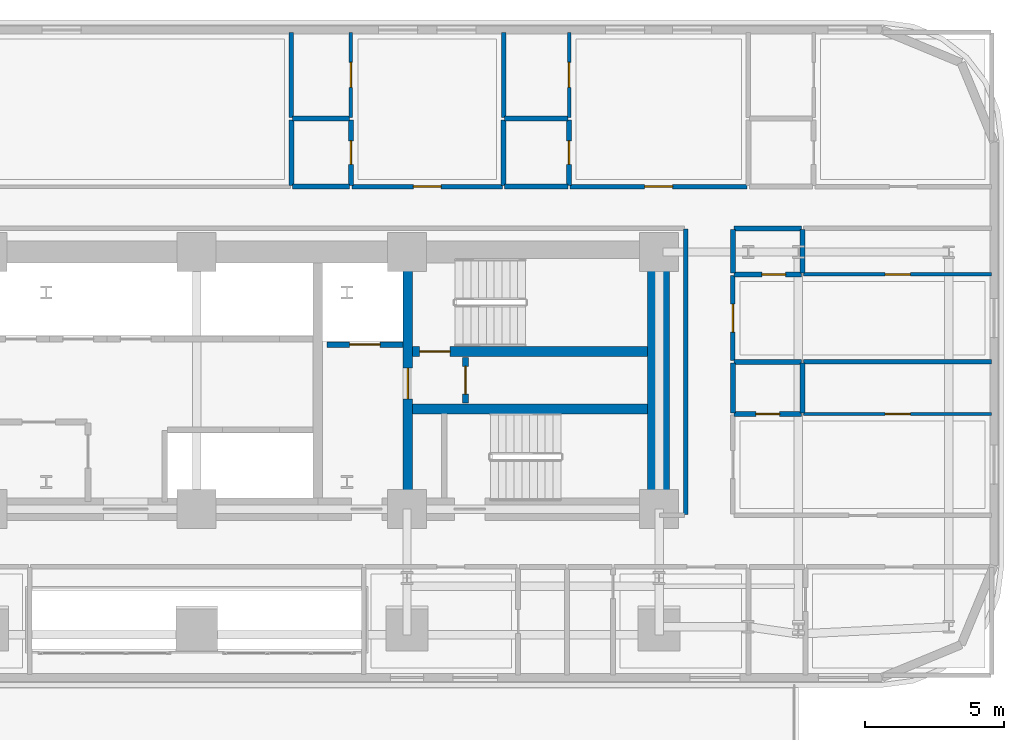
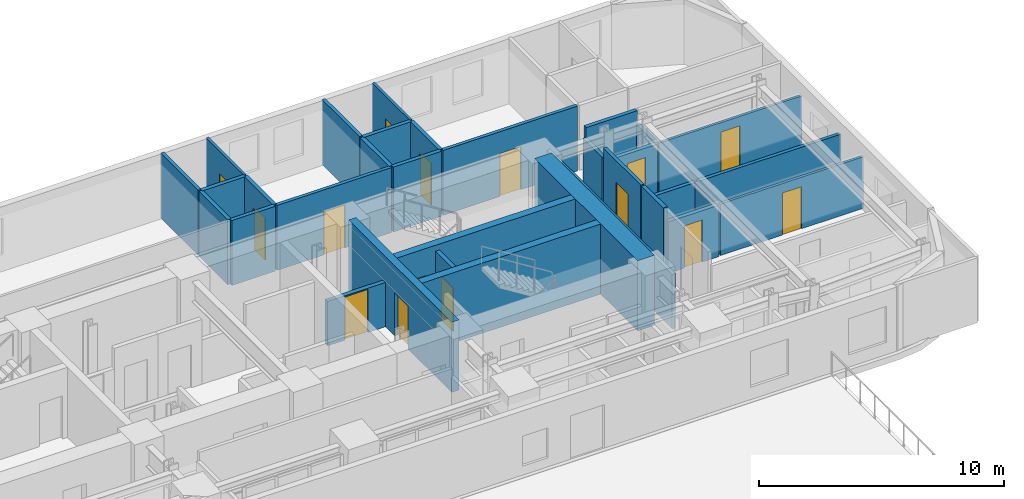
# One storey, part 10 of 15: 33 walls, 15 doors, 15 openings.
"""IFC4 building model written with IfcOpenShell, lengths in metres."""

from ifc_helpers import new_model, si_unit, direction, frame, frame_2d, origin, place, context, subcontext, project, spatial, rectangle, extrude, material, layer, layer_set, type_object, element, fill, save


model = new_model("IFC4")

# Units and contexts
model_context = context("Model", 3, precision=1e-05, world=origin(), true_north=direction((0.0, 1.0)))
body_context = subcontext(model_context, "Body", "Model", "MODEL_VIEW")
ifc_project = project(units=[si_unit("LENGTHUNIT", "METRE"), si_unit("AREAUNIT", "SQUARE_METRE"), si_unit("VOLUMEUNIT", "CUBIC_METRE"), si_unit("PLANEANGLEUNIT", "RADIAN"), si_unit("MASSUNIT", "GRAM", prefix="KILO")], contexts=[model_context])

# Site, building, storey
site_placement = place(None, origin())
site = spatial("IfcSite", under=ifc_project, at=site_placement, CompositionType="ELEMENT")
building_placement = place(site_placement, origin())
building = spatial("IfcBuilding", under=site, at=building_placement, Name="Zarnavel Station Tower", CompositionType="ELEMENT")
storey_placement = place(building_placement, frame((0.0, 0.0, 29.0)))
storey = spatial("IfcBuildingStorey", under=building, at=storey_placement, Name="L07", CompositionType="ELEMENT", Elevation=29.0)

# Wall, opening, door
ifc_material_1 = material(Name="Concrete C50/60", Category="concrete")
ifc_layer_1 = layer(ifc_material_1, 0.35009765625)
ifc_layer_set_1 = layer_set([ifc_layer_1], Name="CW_350")
wall_type_1 = type_object("IfcWallType", Name="CW_350", PredefinedType="SHEAR", material=ifc_layer_set_1)
wall_1_placement = place(storey_placement, frame((36.3798828125, 28.219970703125, 0.0), z_axis=(0.0, 0.0, 1.0), x_axis=(0.0, 1.0, 0.0)))
wall_1 = element("IfcWall", 1, at=wall_1_placement, inside=storey, type_object=wall_type_1, Name="L07 Rear Core Shear Wall DIV-S2", PredefinedType="SHEAR", context=body_context, shape_type="SweptSolid", body=[
    extrude(rectangle(XDim=8.429931640625, YDim=0.35009765625, at=frame_2d((4.21484375, 0.0))), origin(), (0.0, 0.0, 1.0), 3.5),
])
opening_1_placement = place(wall_1_placement, frame((3.56005859375, 0.0, 0.0)))
opening_1 = element("IfcOpeningElement", 2, at=opening_1_placement, cuts=wall_1, Name="Opening FD01", PredefinedType="OPENING", context=body_context, shape_type="SweptSolid", body=[
    extrude(rectangle(XDim=1.10009765625, YDim=2.14990234375, at=frame_2d((0.550048828125, 1.074951171875))), frame((0.0, 0.18505859375, 0.0), z_axis=(0.0, -1.0, 0.0), x_axis=(1.0, 0.0, 0.0)), (0.0, 0.0, 1.0), 0.3701171875),
])
ifc_material_2 = material(Name="Painted Galvanised Steel and Hardwood Leaf", Category="steel")
door_type_1 = type_object("IfcDoorType", Name="ID_STAIR_1100", OperationType="NOTDEFINED", PredefinedType="DOOR", material=ifc_material_2)
door_1_placement = place(opening_1_placement, origin())
door_1 = element("IfcDoor", 3, at=door_1_placement, inside=storey, type_object=door_type_1, Name="L07 East Stair Vestibule Fire Door", OperationType="SINGLE_SWING_LEFT", OverallHeight=2.14990234375, OverallWidth=1.10009765625, PredefinedType="DOOR", context=body_context, shape_type="SweptSolid", body=[
    extrude(rectangle(XDim=1.10009765625, YDim=2.14990234375, at=frame_2d((0.550048828125, 1.074951171875))), frame((0.0, 0.02490234375, 0.0), z_axis=(0.0, -1.0, 0.0), x_axis=(1.0, 0.0, 0.0)), (0.0, 0.0, 1.0), 0.050048828125),
])
fill(opening_1, door_1)

wall_2_placement = place(storey_placement, frame((44.97998046875, 33.47998046875, 0.0), z_axis=(0.0, 0.0, 1.0), x_axis=(-1.0, 0.0, 0.0)))
wall_2 = element("IfcWall", 4, at=wall_2_placement, inside=storey, type_object=wall_type_1, Name="L07 Rear Core Shear Wall DIV-H2", PredefinedType="SHEAR", context=body_context, shape_type="SweptSolid", body=[
    extrude(rectangle(XDim=8.425048828125, YDim=0.35009765625, at=frame_2d((4.21240234375, 0.0))), origin(), (0.0, 0.0, 1.0), 3.5),
])
opening_2_placement = place(wall_2_placement, frame((7.080078125, 0.0, 0.0)))
opening_2 = element("IfcOpeningElement", 5, at=opening_2_placement, cuts=wall_2, Name="Opening FD01", PredefinedType="OPENING", context=body_context, shape_type="SweptSolid", body=[
    extrude(rectangle(XDim=1.10009765625, YDim=2.14990234375, at=frame_2d((0.550048828125, 1.074951171875))), frame((0.0, 0.18505859375, 0.0), z_axis=(0.0, -1.0, 0.0), x_axis=(1.0, 0.0, 0.0)), (0.0, 0.0, 1.0), 0.3701171875),
])
door_2_placement = place(opening_2_placement, origin())
door_2 = element("IfcDoor", 6, at=door_2_placement, inside=storey, type_object=door_type_1, Name="L07 Stair ST2 Lobby Fire Door", OperationType="SINGLE_SWING_RIGHT", OverallHeight=2.14990234375, OverallWidth=1.10009765625, PredefinedType="DOOR", context=body_context, shape_type="SweptSolid", body=[
    extrude(rectangle(XDim=1.10009765625, YDim=2.14990234375, at=frame_2d((0.550048828125, 1.074951171875))), frame((0.0, 0.02490234375, 0.0), z_axis=(0.0, -1.0, 0.0), x_axis=(1.0, 0.0, 0.0)), (0.0, 0.0, 1.0), 0.050048828125),
])
fill(opening_2, door_2)

# Walls
wall_3_placement = place(storey_placement, frame((36.554931640625, 31.419921875, 0.0), z_axis=(0.0, 0.0, 1.0), x_axis=(1.0, 0.0, 0.0)))
element("IfcWall", 7, at=wall_3_placement, inside=storey, type_object=wall_type_1, Name="L07 Rear Core Shear Wall DIV-H3", PredefinedType="SHEAR", context=body_context, shape_type="SweptSolid", body=[
    extrude(rectangle(XDim=8.425048828125, YDim=0.35009765625, at=frame_2d((4.21240234375, 0.0))), origin(), (0.0, 0.0, 1.0), 3.5),
])
ifc_material_3 = material(Name="Concrete C60/75", Category="concrete")
ifc_layer_2 = layer(ifc_material_3, 0.800048828125)
ifc_layer_set_2 = layer_set([ifc_layer_2], Name="CW_800")
wall_type_2 = type_object("IfcWallType", Name="CW_800", PredefinedType="SHEAR", material=ifc_layer_set_2)
wall_4_placement = place(storey_placement, frame((45.3798828125, 28.219970703125, 0.0), z_axis=(0.0, 0.0, 1.0), x_axis=(0.0, 1.0, 0.0)))
element("IfcWall", 8, at=wall_4_placement, inside=storey, type_object=wall_type_2, Name="L07 Rear Core Shear Wall E", PredefinedType="SHEAR", context=body_context, shape_type="SweptSolid", body=[
    extrude(rectangle(XDim=8.429931640625, YDim=0.800048828125, at=frame_2d((4.21484375, 0.0))), origin(), (0.0, 0.0, 1.0), 3.5),
])

# Wall, opening, door
ifc_material_4 = material(Name="Gypsum Twin-Stud Acoustic Fire Partition", Category="concrete")
ifc_layer_3 = layer(ifc_material_4, 0.159912109375)
ifc_layer_set_3 = layer_set([ifc_layer_3], Name="PT_DEMISE_160")
wall_type_3 = type_object("IfcWallType", Name="PT_DEMISE_160", PredefinedType="PARTITIONING", material=ifc_layer_set_3)
wall_5_placement = place(storey_placement, frame((48.050048828125, 33.14892578125, 0.0), z_axis=(0.0, 0.0, 1.0), x_axis=(0.0, 1.0, 0.0)))
wall_5 = element("IfcWall", 9, at=wall_5_placement, inside=storey, type_object=wall_type_3, Name="L07 Partition COR-E-FNE2R", PredefinedType="PARTITIONING", context=body_context, shape_type="SweptSolid", body=[
    extrude(rectangle(XDim=3.06103515625, YDim=0.159912109375, at=frame_2d((1.530517578125, 0.0))), origin(), (0.0, 0.0, 1.0), 3.239990234375),
])
opening_3_placement = place(wall_5_placement, frame((1.030517578125, 0.0, 0.0)))
opening_3 = element("IfcOpeningElement", 10, at=opening_3_placement, cuts=wall_5, Name="Opening FD02", PredefinedType="OPENING", context=body_context, shape_type="SweptSolid", body=[
    extrude(rectangle(XDim=1.0, YDim=2.14990234375, at=frame_2d((0.5, 1.074951171875))), frame((0.0, 0.08984375, 0.0), z_axis=(0.0, -1.0, 0.0), x_axis=(1.0, 0.0, 0.0)), (0.0, 0.0, 1.0), 0.179931640625),
])
ifc_material_5 = material(Name="Painted Galvanised Steel and Hardwood Leaf", Category="steel")
door_type_2 = type_object("IfcDoorType", Name="ID_ENTRY_1000", OperationType="NOTDEFINED", PredefinedType="DOOR", material=ifc_material_5)
door_3_placement = place(opening_3_placement, origin())
door_3 = element("IfcDoor", 11, at=door_3_placement, inside=storey, type_object=door_type_2, Name="L07 Door COR-E-FNE2R", OperationType="SINGLE_SWING_RIGHT", OverallHeight=2.14990234375, OverallWidth=1.0, PredefinedType="DOOR", context=body_context, shape_type="SweptSolid", body=[
    extrude(rectangle(XDim=1.0, YDim=2.14990234375, at=frame_2d((0.5, 1.074951171875))), frame((0.0, 0.02490234375, 0.0), z_axis=(0.0, -1.0, 0.0), x_axis=(1.0, 0.0, 0.0)), (0.0, 0.0, 1.0), 0.050048828125),
])
fill(opening_3, door_3)

wall_6_placement = place(storey_placement, frame((34.373046875, 39.39990234375, 0.0), z_axis=(0.0, 0.0, 1.0), x_axis=(1.0, 0.0, 0.0)))
wall_6 = element("IfcWall", 12, at=wall_6_placement, inside=storey, type_object=wall_type_3, Name="L07 Partition COR-N-HN1R", PredefinedType="PARTITIONING", context=body_context, shape_type="SweptSolid", body=[
    extrude(rectangle(XDim=5.405029296875, YDim=0.159912109375, at=frame_2d((2.70263671875, 0.0))), origin(), (0.0, 0.0, 1.0), 3.239990234375),
])
opening_4_placement = place(wall_6_placement, frame((2.202392578125, 0.0, 0.0)))
opening_4 = element("IfcOpeningElement", 13, at=opening_4_placement, cuts=wall_6, Name="Opening FD02", PredefinedType="OPENING", context=body_context, shape_type="SweptSolid", body=[
    extrude(rectangle(XDim=1.0, YDim=2.14990234375, at=frame_2d((0.5, 1.074951171875))), frame((0.0, 0.08984375, 0.0), z_axis=(0.0, -1.0, 0.0), x_axis=(1.0, 0.0, 0.0)), (0.0, 0.0, 1.0), 0.179931640625),
])
door_4_placement = place(opening_4_placement, origin())
door_4 = element("IfcDoor", 14, at=door_4_placement, inside=storey, type_object=door_type_2, Name="L07 Door COR-N-HN1R", OperationType="SINGLE_SWING_LEFT", OverallHeight=2.14990234375, OverallWidth=1.0, PredefinedType="DOOR", context=body_context, shape_type="SweptSolid", body=[
    extrude(rectangle(XDim=1.0, YDim=2.14990234375, at=frame_2d((0.5, 1.074951171875))), frame((0.0, 0.02490234375, 0.0), z_axis=(0.0, -1.0, 0.0), x_axis=(1.0, 0.0, 0.0)), (0.0, 0.0, 1.0), 0.050048828125),
])
fill(opening_4, door_4)

wall_7_placement = place(storey_placement, frame((42.2080078125, 39.39990234375, 0.0), z_axis=(0.0, 0.0, 1.0), x_axis=(1.0, 0.0, 0.0)))
wall_7 = element("IfcWall", 15, at=wall_7_placement, inside=storey, type_object=wall_type_3, Name="L07 Partition COR-N-HN2R", PredefinedType="PARTITIONING", context=body_context, shape_type="SweptSolid", body=[
    extrude(rectangle(XDim=6.35205078125, YDim=0.159912109375, at=frame_2d((3.176025390625, 0.0))), origin(), (0.0, 0.0, 1.0), 3.239990234375),
])
opening_5_placement = place(wall_7_placement, frame((2.676025390625, 0.0, 0.0)))
opening_5 = element("IfcOpeningElement", 16, at=opening_5_placement, cuts=wall_7, Name="Opening FD02", PredefinedType="OPENING", context=body_context, shape_type="SweptSolid", body=[
    extrude(rectangle(XDim=1.0, YDim=2.14990234375, at=frame_2d((0.5, 1.074951171875))), frame((0.0, 0.08984375, 0.0), z_axis=(0.0, -1.0, 0.0), x_axis=(1.0, 0.0, 0.0)), (0.0, 0.0, 1.0), 0.179931640625),
])
door_5_placement = place(opening_5_placement, origin())
door_5 = element("IfcDoor", 17, at=door_5_placement, inside=storey, type_object=door_type_2, Name="L07 Door COR-N-HN2R", OperationType="SINGLE_SWING_RIGHT", OverallHeight=2.14990234375, OverallWidth=1.0, PredefinedType="DOOR", context=body_context, shape_type="SweptSolid", body=[
    extrude(rectangle(XDim=1.0, YDim=2.14990234375, at=frame_2d((0.5, 1.074951171875))), frame((0.0, 0.02490234375, 0.0), z_axis=(0.0, -1.0, 0.0), x_axis=(1.0, 0.0, 0.0)), (0.0, 0.0, 1.0), 0.050048828125),
])
fill(opening_5, door_5)

# Walls
wall_8_placement = place(storey_placement, frame((50.590087890625, 33.10888671875, 0.0), z_axis=(0.0, 0.0, 1.0), x_axis=(1.0, 0.0, 0.0)))
element("IfcWall", 18, at=wall_8_placement, inside=storey, type_object=wall_type_3, Name="L07 Partition FNE1S-FNE2R", PredefinedType="PARTITIONING", context=body_context, shape_type="SweptSolid", body=[
    extrude(rectangle(XDim=6.75, YDim=0.159912109375, at=frame_2d((3.375, 0.0))), origin(), (0.0, 0.0, 1.0), 2.570068359375),
])
for number, where, z_axis, x_axis, name in (
    (19, (32.199951171875, 41.8779296875, 0.0), (0.0, 0.0, 1.0), (0.0, 1.0, 0.0), "L07 Partition NCLB-HN1S"),
    (20, (39.818115234375, 41.8779296875, 0.0), (0.0, 0.0, 1.0), (0.0, 1.0, 0.0), "L07 Partition HN1R-HN2S"),
):
    element("IfcWall", number, at=place(storey_placement, frame(where, z_axis=z_axis, x_axis=x_axis)), inside=storey, type_object=wall_type_3, Name=name, PredefinedType="PARTITIONING", context=body_context, shape_type="SweptSolid", body=[
        extrude(rectangle(XDim=3.06201171875, YDim=0.159912109375, at=frame_2d((1.531005859375, 0.0))), origin(), (0.0, 0.0, 1.0), 3.239990234375),
    ])
wall_9_placement = place(storey_placement, frame((46.35009765625, 27.6298828125, 0.0), z_axis=(0.0, 0.0, 1.0), x_axis=(0.0, 1.0, 0.0)))
element("IfcWall", 21, at=wall_9_placement, inside=storey, type_object=wall_type_3, Name="L07 Enclosure Wall COR-E", PredefinedType="PARTITIONING", context=body_context, shape_type="SweptSolid", body=[
    extrude(rectangle(XDim=10.240234375, YDim=0.159912109375, at=frame_2d((5.1201171875, 0.0))), origin(), (0.0, 0.0, 1.0), 2.719970703125),
])

# Wall, opening, door
ifc_material_6 = material(Name="Gypsum Metal-Stud Interior Partition", Category="concrete")
ifc_layer_4 = layer(ifc_material_6, 0.1201171875)
ifc_layer_set_4 = layer_set([ifc_layer_4], Name="PT_ROOM_120")
wall_type_4 = type_object("IfcWallType", Name="PT_ROOM_120", PredefinedType="PARTITIONING", material=ifc_layer_set_4)
wall_10_placement = place(storey_placement, frame((50.590087890625, 31.236083984375, 0.0), z_axis=(0.0, 0.0, 1.0), x_axis=(1.0, 0.0, 0.0)))
wall_10 = element("IfcWall", 22, at=wall_10_placement, inside=storey, type_object=wall_type_4, Name="L07 Partition FNE1R-FNE1S", PredefinedType="PARTITIONING", context=body_context, shape_type="SweptSolid", body=[
    extrude(rectangle(XDim=6.75, YDim=0.1201171875, at=frame_2d((3.375, 0.0))), origin(), (0.0, 0.0, 1.0), 2.570068359375),
])
opening_6_placement = place(wall_10_placement, frame((2.925048828125, 0.0, 0.0)))
opening_6 = element("IfcOpeningElement", 23, at=opening_6_placement, cuts=wall_10, Name="Opening ID01", PredefinedType="OPENING", context=body_context, shape_type="SweptSolid", body=[
    extrude(rectangle(XDim=0.89990234375, YDim=2.10009765625, at=frame_2d((0.449951171875, 1.050048828125))), frame((0.0, 0.070068359375, 0.0), z_axis=(0.0, -1.0, 0.0), x_axis=(1.0, 0.0, 0.0)), (0.0, 0.0, 1.0), 0.14013671875),
])
ifc_material_7 = material(Name="Painted Galvanised Steel and Hardwood Leaf", Category="steel")
door_type_3 = type_object("IfcDoorType", Name="ID_ROOM_900", OperationType="NOTDEFINED", PredefinedType="DOOR", material=ifc_material_7)
door_6_placement = place(opening_6_placement, origin())
door_6 = element("IfcDoor", 24, at=door_6_placement, inside=storey, type_object=door_type_3, Name="L07 Door FNE1R-FNE1S", OperationType="SINGLE_SWING_LEFT", OverallHeight=2.10009765625, OverallWidth=0.89990234375, PredefinedType="DOOR", context=body_context, shape_type="SweptSolid", body=[
    extrude(rectangle(XDim=0.89990234375, YDim=2.10009765625, at=frame_2d((0.449951171875, 1.050048828125))), frame((0.0, 0.02490234375, 0.0), z_axis=(0.0, -1.0, 0.0), x_axis=(1.0, 0.0, 0.0)), (0.0, 0.0, 1.0), 0.050048828125),
])
fill(opening_6, door_6)

wall_11_placement = place(storey_placement, frame((50.590087890625, 36.25, 0.0), z_axis=(0.0, 0.0, 1.0), x_axis=(1.0, 0.0, 0.0)))
wall_11 = element("IfcWall", 25, at=wall_11_placement, inside=storey, type_object=wall_type_4, Name="L07 Partition FNE2R-FNE2S", PredefinedType="PARTITIONING", context=body_context, shape_type="SweptSolid", body=[
    extrude(rectangle(XDim=6.75, YDim=0.1201171875, at=frame_2d((3.375, 0.0))), origin(), (0.0, 0.0, 1.0), 2.570068359375),
])
opening_7_placement = place(wall_11_placement, frame((2.925048828125, 0.0, 0.0)))
opening_7 = element("IfcOpeningElement", 26, at=opening_7_placement, cuts=wall_11, Name="Opening ID01", PredefinedType="OPENING", context=body_context, shape_type="SweptSolid", body=[
    extrude(rectangle(XDim=0.89990234375, YDim=2.10009765625, at=frame_2d((0.449951171875, 1.050048828125))), frame((0.0, 0.070068359375, 0.0), z_axis=(0.0, -1.0, 0.0), x_axis=(1.0, 0.0, 0.0)), (0.0, 0.0, 1.0), 0.14013671875),
])
door_7_placement = place(opening_7_placement, origin())
door_7 = element("IfcDoor", 27, at=door_7_placement, inside=storey, type_object=door_type_3, Name="L07 Door FNE2R-FNE2S", OperationType="SINGLE_SWING_LEFT", OverallHeight=2.10009765625, OverallWidth=0.89990234375, PredefinedType="DOOR", context=body_context, shape_type="SweptSolid", body=[
    extrude(rectangle(XDim=0.89990234375, YDim=2.10009765625, at=frame_2d((0.449951171875, 1.050048828125))), frame((0.0, 0.02490234375, 0.0), z_axis=(0.0, -1.0, 0.0), x_axis=(1.0, 0.0, 0.0)), (0.0, 0.0, 1.0), 0.050048828125),
])
fill(opening_7, door_7)

wall_12_placement = place(storey_placement, frame((34.3330078125, 41.8779296875, 0.0), z_axis=(0.0, 0.0, 1.0), x_axis=(0.0, 1.0, 0.0)))
wall_12 = element("IfcWall", 28, at=wall_12_placement, inside=storey, type_object=wall_type_4, Name="L07 Partition HN1R-HN1S", PredefinedType="PARTITIONING", context=body_context, shape_type="SweptSolid", body=[
    extrude(rectangle(XDim=3.06201171875, YDim=0.1201171875, at=frame_2d((1.531005859375, 0.0))), origin(), (0.0, 0.0, 1.0), 3.239990234375),
])
opening_8_placement = place(wall_12_placement, frame((1.0810546875, 0.0, 0.0)))
opening_8 = element("IfcOpeningElement", 29, at=opening_8_placement, cuts=wall_12, Name="Opening ID01", PredefinedType="OPENING", context=body_context, shape_type="SweptSolid", body=[
    extrude(rectangle(XDim=0.89990234375, YDim=2.10009765625, at=frame_2d((0.449951171875, 1.050048828125))), frame((0.0, 0.070068359375, 0.0), z_axis=(0.0, -1.0, 0.0), x_axis=(1.0, 0.0, 0.0)), (0.0, 0.0, 1.0), 0.14013671875),
])
door_8_placement = place(opening_8_placement, origin())
door_8 = element("IfcDoor", 30, at=door_8_placement, inside=storey, type_object=door_type_3, Name="L07 Door HN1R-HN1S", OperationType="SINGLE_SWING_LEFT", OverallHeight=2.10009765625, OverallWidth=0.89990234375, PredefinedType="DOOR", context=body_context, shape_type="SweptSolid", body=[
    extrude(rectangle(XDim=0.89990234375, YDim=2.10009765625, at=frame_2d((0.449951171875, 1.050048828125))), frame((0.0, 0.02490234375, 0.0), z_axis=(0.0, -1.0, 0.0), x_axis=(1.0, 0.0, 0.0)), (0.0, 0.0, 1.0), 0.050048828125),
])
fill(opening_8, door_8)

wall_13_placement = place(storey_placement, frame((42.16796875, 41.8779296875, 0.0), z_axis=(0.0, 0.0, 1.0), x_axis=(0.0, 1.0, 0.0)))
wall_13 = element("IfcWall", 31, at=wall_13_placement, inside=storey, type_object=wall_type_4, Name="L07 Partition HN2R-HN2S", PredefinedType="PARTITIONING", context=body_context, shape_type="SweptSolid", body=[
    extrude(rectangle(XDim=3.06201171875, YDim=0.1201171875, at=frame_2d((1.531005859375, 0.0))), origin(), (0.0, 0.0, 1.0), 3.239990234375),
])
opening_9_placement = place(wall_13_placement, frame((1.0810546875, 0.0, 0.0)))
opening_9 = element("IfcOpeningElement", 32, at=opening_9_placement, cuts=wall_13, Name="Opening ID01", PredefinedType="OPENING", context=body_context, shape_type="SweptSolid", body=[
    extrude(rectangle(XDim=0.89990234375, YDim=2.10009765625, at=frame_2d((0.449951171875, 1.050048828125))), frame((0.0, 0.070068359375, 0.0), z_axis=(0.0, -1.0, 0.0), x_axis=(1.0, 0.0, 0.0)), (0.0, 0.0, 1.0), 0.14013671875),
])
door_9_placement = place(opening_9_placement, origin())
door_9 = element("IfcDoor", 33, at=door_9_placement, inside=storey, type_object=door_type_3, Name="L07 Door HN2R-HN2S", OperationType="SINGLE_SWING_LEFT", OverallHeight=2.10009765625, OverallWidth=0.89990234375, PredefinedType="DOOR", context=body_context, shape_type="SweptSolid", body=[
    extrude(rectangle(XDim=0.89990234375, YDim=2.10009765625, at=frame_2d((0.449951171875, 1.050048828125))), frame((0.0, 0.02490234375, 0.0), z_axis=(0.0, -1.0, 0.0), x_axis=(1.0, 0.0, 0.0)), (0.0, 0.0, 1.0), 0.050048828125),
])
fill(opening_9, door_9)

ifc_material_8 = material(Name="Precast concrete C45/55 (Fire Shaft Blockwork)", Category="masonry")
ifc_layer_5 = layer(ifc_material_8, 0.199951171875)
ifc_layer_set_5 = layer_set([ifc_layer_5], Name="PT_SHAFT_200")
wall_type_5 = type_object("IfcWallType", Name="PT_SHAFT_200", PredefinedType="PARTITIONING", material=ifc_layer_set_5)
wall_14_placement = place(storey_placement, frame((33.47509765625, 33.72998046875, 0.0), z_axis=(0.0, 0.0, 1.0), x_axis=(1.0, 0.0, 0.0)))
wall_14 = element("IfcWall", 34, at=wall_14_placement, inside=storey, type_object=wall_type_5, Name="L07 Lift FFL-02 Shaft Front Wall", PredefinedType="PARTITIONING", context=body_context, shape_type="SweptSolid", body=[
    extrude(rectangle(XDim=2.724853515625, YDim=0.199951171875, at=frame_2d((1.3623046875, 0.0))), origin(), (0.0, 0.0, 1.0), 2.2119140625),
])
opening_10_placement = place(wall_14_placement, frame((0.8125, 0.0, 0.0)))
opening_10 = element("IfcOpeningElement", 35, at=opening_10_placement, cuts=wall_14, Name="Opening LD01", PredefinedType="OPENING", context=body_context, shape_type="SweptSolid", body=[
    extrude(rectangle(XDim=1.10009765625, YDim=2.14990234375, at=frame_2d((0.550048828125, 1.074951171875))), frame((0.0, 0.10986328125, 0.0), z_axis=(0.0, -1.0, 0.0), x_axis=(1.0, 0.0, 0.0)), (0.0, 0.0, 1.0), 0.219970703125),
])
ifc_material_9 = material(Name="Painted Galvanised Steel and Hardwood Leaf", Category="steel")
door_type_4 = type_object("IfcDoorType", Name="LD_FF_1100", OperationType="DOUBLE_DOOR_SLIDING", PredefinedType="DOOR", material=ifc_material_9)
door_10_placement = place(opening_10_placement, origin())
door_10 = element("IfcDoor", 36, at=door_10_placement, inside=storey, type_object=door_type_4, Name="L07 Lift FFL-02 Sliding Landing Door", OperationType="DOUBLE_DOOR_SLIDING", OverallHeight=2.14990234375, OverallWidth=1.10009765625, PredefinedType="DOOR", context=body_context, shape_type="SweptSolid", body=[
    extrude(rectangle(XDim=1.10009765625, YDim=2.14990234375, at=frame_2d((0.550048828125, 1.074951171875))), frame((0.0, 0.02490234375, 0.0), z_axis=(0.0, -1.0, 0.0), x_axis=(1.0, 0.0, 0.0)), (0.0, 0.0, 1.0), 0.050048828125),
])
fill(opening_10, door_10)

wall_15_placement = place(storey_placement, frame((38.449951171875, 31.639892578125, 0.0), z_axis=(0.0, 0.0, 1.0), x_axis=(0.0, 1.0, 0.0)))
wall_15 = element("IfcWall", 37, at=wall_15_placement, inside=storey, type_object=wall_type_5, Name="L07 Partition ESTV-CEA", PredefinedType="PARTITIONING", context=body_context, shape_type="SweptSolid", body=[
    extrude(rectangle(XDim=1.6201171875, YDim=0.199951171875, at=frame_2d((0.81005859375, 0.0))), origin(), (0.0, 0.0, 1.0), 3.239990234375),
])
opening_11_placement = place(wall_15_placement, frame((0.31005859375, 0.0, 0.0)))
opening_11 = element("IfcOpeningElement", 38, at=opening_11_placement, cuts=wall_15, Name="Opening FD02", PredefinedType="OPENING", context=body_context, shape_type="SweptSolid", body=[
    extrude(rectangle(XDim=1.0, YDim=2.14990234375, at=frame_2d((0.5, 1.074951171875))), frame((0.0, 0.10986328125, 0.0), z_axis=(0.0, -1.0, 0.0), x_axis=(1.0, 0.0, 0.0)), (0.0, 0.0, 1.0), 0.219970703125),
])
door_11_placement = place(opening_11_placement, origin())
door_11 = element("IfcDoor", 39, at=door_11_placement, inside=storey, type_object=door_type_2, Name="L07 Door ESTV-CEA", OperationType="SINGLE_SWING_LEFT", OverallHeight=2.14990234375, OverallWidth=1.0, PredefinedType="DOOR", context=body_context, shape_type="SweptSolid", body=[
    extrude(rectangle(XDim=1.0, YDim=2.14990234375, at=frame_2d((0.5, 1.074951171875))), frame((0.0, 0.02490234375, 0.0), z_axis=(0.0, -1.0, 0.0), x_axis=(1.0, 0.0, 0.0)), (0.0, 0.0, 1.0), 0.050048828125),
])
fill(opening_11, door_11)

# Walls
ifc_material_10 = material(Name="Moisture-Resistant Plumbing Chase Wall", Category="concrete")
ifc_layer_6 = layer(ifc_material_10, 0.179931640625)
ifc_layer_set_6 = layer_set([ifc_layer_6], Name="PW_PLUMB_180")
wall_type_6 = type_object("IfcWallType", Name="PW_PLUMB_180", PredefinedType="PLUMBINGWALL", material=ifc_layer_set_6)
wall_16_placement = place(storey_placement, frame((48.050048828125, 31.27587890625, 0.0), z_axis=(0.0, 0.0, 1.0), x_axis=(0.0, 1.0, 0.0)))
element("IfcWall", 40, at=wall_16_placement, inside=storey, type_object=wall_type_6, Name="L07 Partition COR-E-FNE1B", PredefinedType="PLUMBINGWALL", context=body_context, shape_type="SweptSolid", body=[
    extrude(rectangle(XDim=1.793212890625, YDim=0.179931640625, at=frame_2d((0.896484375, 0.0))), origin(), (0.0, 0.0, 1.0), 3.239990234375),
])
wall_17_placement = place(storey_placement, frame((48.050048828125, 36.2900390625, 0.0), z_axis=(0.0, 0.0, 1.0), x_axis=(0.0, 1.0, 0.0)))
element("IfcWall", 41, at=wall_17_placement, inside=storey, type_object=wall_type_6, Name="L07 Partition COR-E-FNE2B", PredefinedType="PLUMBINGWALL", context=body_context, shape_type="SweptSolid", body=[
    extrude(rectangle(XDim=1.570068359375, YDim=0.179931640625, at=frame_2d((0.78515625, 0.0))), origin(), (0.0, 0.0, 1.0), 2.719970703125),
])
wall_18_placement = place(storey_placement, frame((48.090087890625, 37.89990234375, 0.0), z_axis=(0.0, 0.0, 1.0), x_axis=(1.0, 0.0, 0.0)))
element("IfcWall", 42, at=wall_18_placement, inside=storey, type_object=wall_type_6, Name="L07 Partition COR-N-FNE2B", PredefinedType="PLUMBINGWALL", context=body_context, shape_type="SweptSolid", body=[
    extrude(rectangle(XDim=2.419921875, YDim=0.179931640625, at=frame_2d((1.2099609375, 0.0))), origin(), (0.0, 0.0, 1.0), 3.239990234375),
])
wall_19_placement = place(storey_placement, frame((32.239990234375, 39.39990234375, 0.0), z_axis=(0.0, 0.0, 1.0), x_axis=(1.0, 0.0, 0.0)))
element("IfcWall", 43, at=wall_19_placement, inside=storey, type_object=wall_type_6, Name="L07 Partition COR-N-HN1B", PredefinedType="PLUMBINGWALL", context=body_context, shape_type="SweptSolid", body=[
    extrude(rectangle(XDim=2.052978515625, YDim=0.179931640625, at=frame_2d((1.0263671875, 0.0))), origin(), (0.0, 0.0, 1.0), 3.239990234375),
])
wall_20_placement = place(storey_placement, frame((39.85791015625, 39.39990234375, 0.0), z_axis=(0.0, 0.0, 1.0), x_axis=(1.0, 0.0, 0.0)))
element("IfcWall", 44, at=wall_20_placement, inside=storey, type_object=wall_type_6, Name="L07 Partition COR-N-HN2B", PredefinedType="PLUMBINGWALL", context=body_context, shape_type="SweptSolid", body=[
    extrude(rectangle(XDim=2.27001953125, YDim=0.179931640625, at=frame_2d((1.135009765625, 0.0))), origin(), (0.0, 0.0, 1.0), 3.239990234375),
])

# Wall, opening, door
wall_21_placement = place(storey_placement, frame((48.090087890625, 31.236083984375, 0.0), z_axis=(0.0, 0.0, 1.0), x_axis=(1.0, 0.0, 0.0)))
wall_21 = element("IfcWall", 45, at=wall_21_placement, inside=storey, type_object=wall_type_6, Name="L07 Partition FNE1R-FNE1B", PredefinedType="PLUMBINGWALL", context=body_context, shape_type="SweptSolid", body=[
    extrude(rectangle(XDim=2.419921875, YDim=0.179931640625, at=frame_2d((1.2099609375, 0.0))), origin(), (0.0, 0.0, 1.0), 2.570068359375),
])
opening_12_placement = place(wall_21_placement, frame((0.784912109375, 0.0, 0.0)))
opening_12 = element("IfcOpeningElement", 46, at=opening_12_placement, cuts=wall_21, Name="Opening ID02", PredefinedType="OPENING", context=body_context, shape_type="SweptSolid", body=[
    extrude(rectangle(XDim=0.85009765625, YDim=2.10009765625, at=frame_2d((0.425048828125, 1.050048828125))), frame((0.0, 0.099853515625, 0.0), z_axis=(0.0, -1.0, 0.0), x_axis=(1.0, 0.0, 0.0)), (0.0, 0.0, 1.0), 0.199951171875),
])
ifc_material_11 = material(Name="Painted Galvanised Steel and Hardwood Leaf", Category="steel")
door_type_5 = type_object("IfcDoorType", Name="ID_BATH_850", OperationType="NOTDEFINED", PredefinedType="DOOR", material=ifc_material_11)
door_12_placement = place(opening_12_placement, origin())
door_12 = element("IfcDoor", 47, at=door_12_placement, inside=storey, type_object=door_type_5, Name="L07 Door FNE1R-FNE1B", OperationType="SINGLE_SWING_RIGHT", OverallHeight=2.10009765625, OverallWidth=0.85009765625, PredefinedType="DOOR", context=body_context, shape_type="SweptSolid", body=[
    extrude(rectangle(XDim=0.85009765625, YDim=2.10009765625, at=frame_2d((0.425048828125, 1.050048828125))), frame((0.0, 0.02490234375, 0.0), z_axis=(0.0, -1.0, 0.0), x_axis=(1.0, 0.0, 0.0)), (0.0, 0.0, 1.0), 0.050048828125),
])
fill(opening_12, door_12)

# Walls
wall_22_placement = place(storey_placement, frame((50.550048828125, 31.27587890625, 0.0), z_axis=(0.0, 0.0, 1.0), x_axis=(0.0, 1.0, 0.0)))
element("IfcWall", 48, at=wall_22_placement, inside=storey, type_object=wall_type_6, Name="L07 Partition FNE1B-FNE1S", PredefinedType="PLUMBINGWALL", context=body_context, shape_type="SweptSolid", body=[
    extrude(rectangle(XDim=1.793212890625, YDim=0.179931640625, at=frame_2d((0.896484375, 0.0))), origin(), (0.0, 0.0, 1.0), 2.570068359375),
])
wall_23_placement = place(storey_placement, frame((48.090087890625, 33.10888671875, 0.0), z_axis=(0.0, 0.0, 1.0), x_axis=(1.0, 0.0, 0.0)))
element("IfcWall", 49, at=wall_23_placement, inside=storey, type_object=wall_type_6, Name="L07 Partition FNE1B-FNE2R", PredefinedType="PLUMBINGWALL", context=body_context, shape_type="SweptSolid", body=[
    extrude(rectangle(XDim=2.419921875, YDim=0.179931640625, at=frame_2d((1.2099609375, 0.0))), origin(), (0.0, 0.0, 1.0), 2.570068359375),
])

# Wall, opening, door
wall_24_placement = place(storey_placement, frame((50.510009765625, 36.25, 0.0), z_axis=(0.0, 0.0, 1.0), x_axis=(-1.0, 0.0, 0.0)))
wall_24 = element("IfcWall", 50, at=wall_24_placement, inside=storey, type_object=wall_type_6, Name="L07 Partition FNE2R-FNE2B", PredefinedType="PLUMBINGWALL", context=body_context, shape_type="SweptSolid", body=[
    extrude(rectangle(XDim=2.419921875, YDim=0.179931640625, at=frame_2d((1.2099609375, 0.0))), origin(), (0.0, 0.0, 1.0), 2.570068359375),
])
opening_13_placement = place(wall_24_placement, frame((0.570068359375, 0.0, 0.0)))
opening_13 = element("IfcOpeningElement", 51, at=opening_13_placement, cuts=wall_24, Name="Opening ID02", PredefinedType="OPENING", context=body_context, shape_type="SweptSolid", body=[
    extrude(rectangle(XDim=0.85009765625, YDim=2.10009765625, at=frame_2d((0.425048828125, 1.050048828125))), frame((0.0, 0.099853515625, 0.0), z_axis=(0.0, -1.0, 0.0), x_axis=(1.0, 0.0, 0.0)), (0.0, 0.0, 1.0), 0.199951171875),
])
door_13_placement = place(opening_13_placement, origin())
door_13 = element("IfcDoor", 52, at=door_13_placement, inside=storey, type_object=door_type_5, Name="L07 Door FNE2R-FNE2B", OperationType="SINGLE_SWING_RIGHT", OverallHeight=2.10009765625, OverallWidth=0.85009765625, PredefinedType="DOOR", context=body_context, shape_type="SweptSolid", body=[
    extrude(rectangle(XDim=0.85009765625, YDim=2.10009765625, at=frame_2d((0.425048828125, 1.050048828125))), frame((0.0, 0.02490234375, 0.0), z_axis=(0.0, -1.0, 0.0), x_axis=(1.0, 0.0, 0.0)), (0.0, 0.0, 1.0), 0.050048828125),
])
fill(opening_13, door_13)

# Walls
wall_25_placement = place(storey_placement, frame((50.550048828125, 36.2900390625, 0.0), z_axis=(0.0, 0.0, 1.0), x_axis=(0.0, 1.0, 0.0)))
element("IfcWall", 53, at=wall_25_placement, inside=storey, type_object=wall_type_6, Name="L07 Partition FNE2B-FNE2S", PredefinedType="PLUMBINGWALL", context=body_context, shape_type="SweptSolid", body=[
    extrude(rectangle(XDim=1.570068359375, YDim=0.179931640625, at=frame_2d((0.78515625, 0.0))), origin(), (0.0, 0.0, 1.0), 2.570068359375),
])
wall_26_placement = place(storey_placement, frame((32.199951171875, 39.43994140625, 0.0), z_axis=(0.0, 0.0, 1.0), x_axis=(0.0, 1.0, 0.0)))
element("IfcWall", 54, at=wall_26_placement, inside=storey, type_object=wall_type_6, Name="L07 Partition NCLB-HN1B", PredefinedType="PLUMBINGWALL", context=body_context, shape_type="SweptSolid", body=[
    extrude(rectangle(XDim=2.358154296875, YDim=0.179931640625, at=frame_2d((1.17919921875, 0.0))), origin(), (0.0, 0.0, 1.0), 3.239990234375),
])

# Wall, opening, door
wall_27_placement = place(storey_placement, frame((34.3330078125, 39.43994140625, 0.0), z_axis=(0.0, 0.0, 1.0), x_axis=(0.0, 1.0, 0.0)))
wall_27 = element("IfcWall", 55, at=wall_27_placement, inside=storey, type_object=wall_type_6, Name="L07 Partition HN1R-HN1B", PredefinedType="PLUMBINGWALL", context=body_context, shape_type="SweptSolid", body=[
    extrude(rectangle(XDim=2.358154296875, YDim=0.179931640625, at=frame_2d((1.17919921875, 0.0))), origin(), (0.0, 0.0, 1.0), 3.239990234375),
])
opening_14_placement = place(wall_27_placement, frame((0.75390625, 0.0, 0.0)))
opening_14 = element("IfcOpeningElement", 56, at=opening_14_placement, cuts=wall_27, Name="Opening ID02", PredefinedType="OPENING", context=body_context, shape_type="SweptSolid", body=[
    extrude(rectangle(XDim=0.85009765625, YDim=2.10009765625, at=frame_2d((0.425048828125, 1.050048828125))), frame((0.0, 0.099853515625, 0.0), z_axis=(0.0, -1.0, 0.0), x_axis=(1.0, 0.0, 0.0)), (0.0, 0.0, 1.0), 0.199951171875),
])
door_14_placement = place(opening_14_placement, origin())
door_14 = element("IfcDoor", 57, at=door_14_placement, inside=storey, type_object=door_type_5, Name="L07 Door HN1R-HN1B", OperationType="SINGLE_SWING_RIGHT", OverallHeight=2.10009765625, OverallWidth=0.85009765625, PredefinedType="DOOR", context=body_context, shape_type="SweptSolid", body=[
    extrude(rectangle(XDim=0.85009765625, YDim=2.10009765625, at=frame_2d((0.425048828125, 1.050048828125))), frame((0.0, 0.02490234375, 0.0), z_axis=(0.0, -1.0, 0.0), x_axis=(1.0, 0.0, 0.0)), (0.0, 0.0, 1.0), 0.050048828125),
])
fill(opening_14, door_14)

# Walls
wall_28_placement = place(storey_placement, frame((39.818115234375, 39.43994140625, 0.0), z_axis=(0.0, 0.0, 1.0), x_axis=(0.0, 1.0, 0.0)))
element("IfcWall", 58, at=wall_28_placement, inside=storey, type_object=wall_type_6, Name="L07 Partition HN1R-HN2B", PredefinedType="PLUMBINGWALL", context=body_context, shape_type="SweptSolid", body=[
    extrude(rectangle(XDim=2.358154296875, YDim=0.179931640625, at=frame_2d((1.17919921875, 0.0))), origin(), (0.0, 0.0, 1.0), 3.239990234375),
])
wall_29_placement = place(storey_placement, frame((32.239990234375, 41.837890625, 0.0), z_axis=(0.0, 0.0, 1.0), x_axis=(1.0, 0.0, 0.0)))
element("IfcWall", 59, at=wall_29_placement, inside=storey, type_object=wall_type_6, Name="L07 Partition HN1B-HN1S", PredefinedType="PLUMBINGWALL", context=body_context, shape_type="SweptSolid", body=[
    extrude(rectangle(XDim=2.052978515625, YDim=0.179931640625, at=frame_2d((1.0263671875, 0.0))), origin(), (0.0, 0.0, 1.0), 3.239990234375),
])

# Wall, opening, door
wall_30_placement = place(storey_placement, frame((42.16796875, 39.43994140625, 0.0), z_axis=(0.0, 0.0, 1.0), x_axis=(0.0, 1.0, 0.0)))
wall_30 = element("IfcWall", 60, at=wall_30_placement, inside=storey, type_object=wall_type_6, Name="L07 Partition HN2R-HN2B", PredefinedType="PLUMBINGWALL", context=body_context, shape_type="SweptSolid", body=[
    extrude(rectangle(XDim=2.358154296875, YDim=0.179931640625, at=frame_2d((1.17919921875, 0.0))), origin(), (0.0, 0.0, 1.0), 3.239990234375),
])
opening_15_placement = place(wall_30_placement, frame((0.75390625, 0.0, 0.0)))
opening_15 = element("IfcOpeningElement", 61, at=opening_15_placement, cuts=wall_30, Name="Opening ID02", PredefinedType="OPENING", context=body_context, shape_type="SweptSolid", body=[
    extrude(rectangle(XDim=0.85009765625, YDim=2.10009765625, at=frame_2d((0.425048828125, 1.050048828125))), frame((0.0, 0.099853515625, 0.0), z_axis=(0.0, -1.0, 0.0), x_axis=(1.0, 0.0, 0.0)), (0.0, 0.0, 1.0), 0.199951171875),
])
door_15_placement = place(opening_15_placement, origin())
door_15 = element("IfcDoor", 62, at=door_15_placement, inside=storey, type_object=door_type_5, Name="L07 Door HN2R-HN2B", OperationType="SINGLE_SWING_RIGHT", OverallHeight=2.10009765625, OverallWidth=0.85009765625, PredefinedType="DOOR", context=body_context, shape_type="SweptSolid", body=[
    extrude(rectangle(XDim=0.85009765625, YDim=2.10009765625, at=frame_2d((0.425048828125, 1.050048828125))), frame((0.0, 0.02490234375, 0.0), z_axis=(0.0, -1.0, 0.0), x_axis=(1.0, 0.0, 0.0)), (0.0, 0.0, 1.0), 0.050048828125),
])
fill(opening_15, door_15)

# Wall
wall_31_placement = place(storey_placement, frame((39.85791015625, 41.837890625, 0.0), z_axis=(0.0, 0.0, 1.0), x_axis=(1.0, 0.0, 0.0)))
element("IfcWall", 63, at=wall_31_placement, inside=storey, type_object=wall_type_6, Name="L07 Partition HN2B-HN2S", PredefinedType="PLUMBINGWALL", context=body_context, shape_type="SweptSolid", body=[
    extrude(rectangle(XDim=2.27001953125, YDim=0.179931640625, at=frame_2d((1.135009765625, 0.0))), origin(), (0.0, 0.0, 1.0), 3.239990234375),
])

save(model, "model.ifc")
